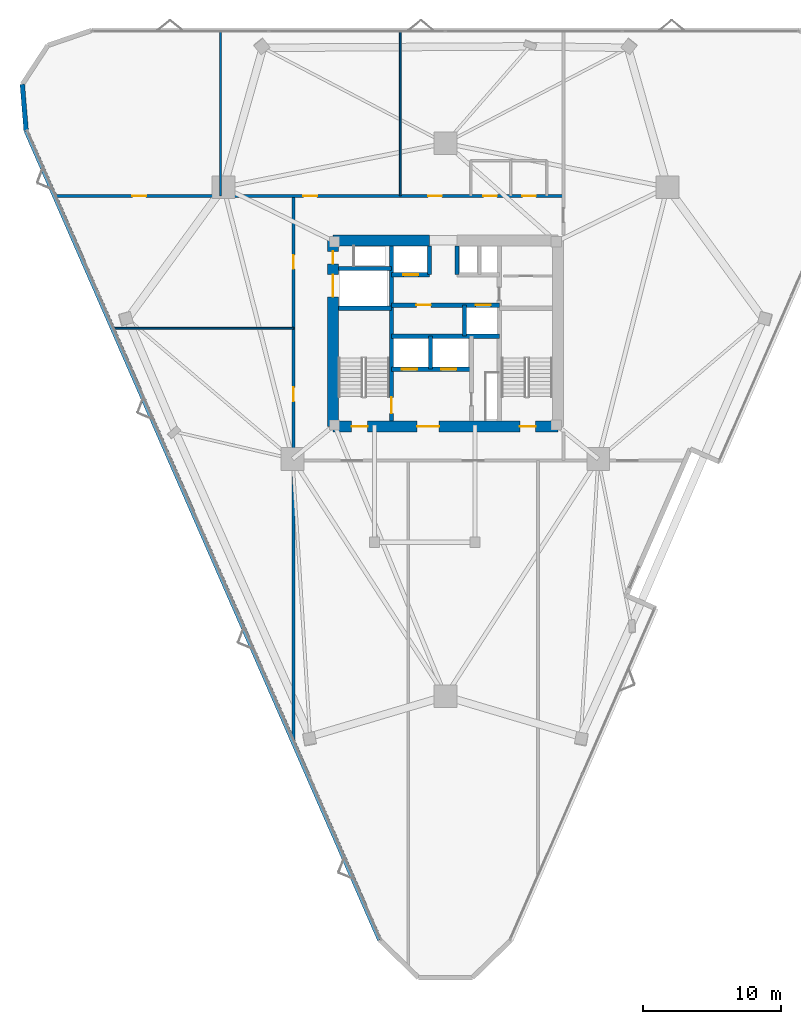
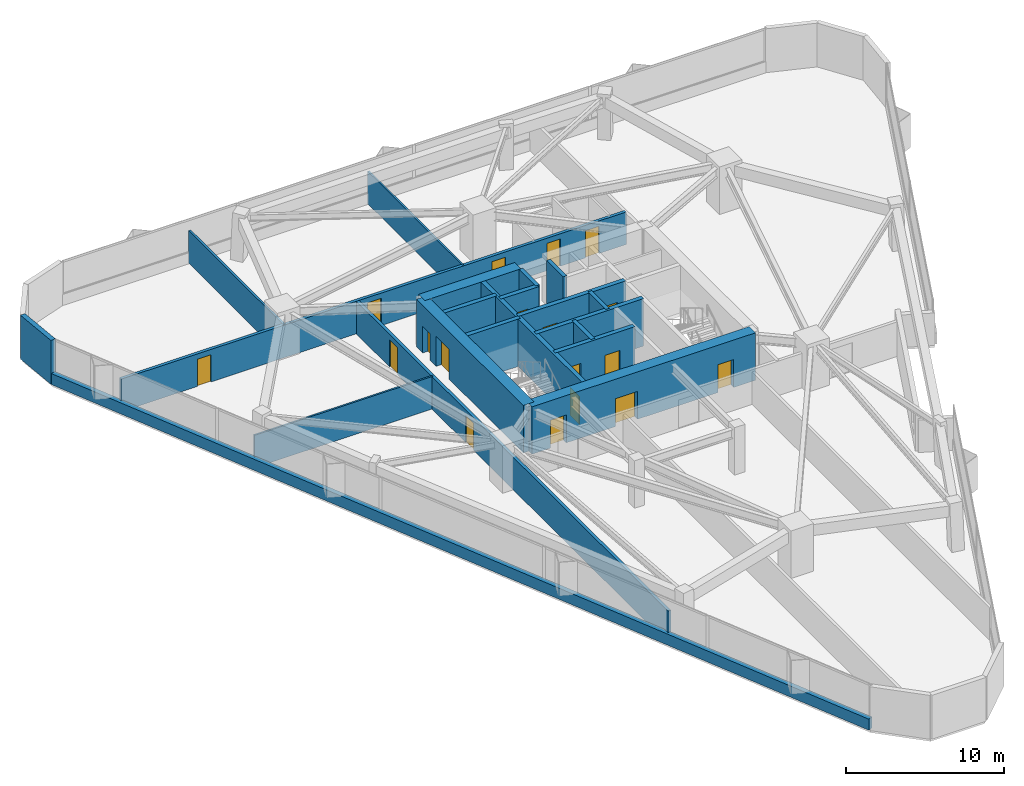
# One storey, part 11 of 13: 21 walls, 18 doors, 18 openings.
"""IFC4 building model written with IfcOpenShell, lengths in metres."""

from ifc_helpers import new_model, si_unit, direction, frame, frame_2d, origin, place, context, subcontext, project, spatial, rectangle, extrude, material, layer, layer_set, type_object, element, fill, save


model = new_model("IFC4")

# Units and contexts
model_context = context("Model", 3, precision=1e-05, world=origin(), true_north=direction((0.0, 1.0)))
body_context = subcontext(model_context, "Body", "Model", "MODEL_VIEW")
ifc_project = project(units=[si_unit("LENGTHUNIT", "METRE"), si_unit("AREAUNIT", "SQUARE_METRE"), si_unit("VOLUMEUNIT", "CUBIC_METRE"), si_unit("PLANEANGLEUNIT", "RADIAN"), si_unit("MASSUNIT", "GRAM", prefix="KILO")], contexts=[model_context])

# Site, building, storey
site_placement = place(None, origin())
site = spatial("IfcSite", under=ifc_project, at=site_placement, CompositionType="ELEMENT")
building_placement = place(site_placement, origin())
building = spatial("IfcBuilding", under=site, at=building_placement, Name="Talyreon Biosciences Tower", CompositionType="ELEMENT")
storey_placement = place(building_placement, frame((0.0, 0.0, 104.199951171875)))
storey = spatial("IfcBuildingStorey", under=building, at=storey_placement, Name="L27", CompositionType="ELEMENT", Elevation=104.199951171875)

# Walls
ifc_material_1 = material(Name="Concrete C50/60", Category="concrete")
ifc_layer_1 = layer(ifc_material_1, 0.280029296875)
ifc_layer_set_1 = layer_set([ifc_layer_1], Name="Concrete C50/60")
wall_type_1 = type_object("IfcWallType", Name="CoreShearWall_280", PredefinedType="SHEAR", material=ifc_layer_set_1)
wall_1_placement = place(storey_placement, frame((64.919921875, 65.39990234375, 0.0), z_axis=(0.0, 0.0, 1.0), x_axis=(0.0, 1.0, 0.0)))
element("IfcWall", 1, at=wall_1_placement, inside=storey, type_object=wall_type_1, Name="L27 Core Shaft Wall SWSHD1", PredefinedType="SHEAR", context=body_context, shape_type="SweptSolid", body=[
    extrude(rectangle(XDim=2.400146484375, YDim=0.280029296875, at=frame_2d((1.2001953125, 0.0))), origin(), (0.0, 0.0, 1.0), 3.650146484375),
])
for number, where, z_axis, x_axis, name in (
    (2, (64.85009765625, 72.25, 0.0), (0.0, 0.0, 1.0), (0.0, 1.0, 0.0), "L27 Core Shaft Wall SWTHW"),
    (3, (66.85009765625, 72.25, 0.0), (0.0, 0.0, 1.0), (0.0, 1.0, 0.0), "L27 Core Shaft Wall SWTHE"),
):
    element("IfcWall", number, at=place(storey_placement, frame(where, z_axis=z_axis, x_axis=x_axis)), inside=storey, type_object=wall_type_1, Name=name, PredefinedType="SHEAR", context=body_context, shape_type="SweptSolid", body=[
        extrude(rectangle(XDim=2.10009765625, YDim=0.280029296875, at=frame_2d((1.050048828125, 0.0))), origin(), (0.0, 0.0, 1.0), 3.650146484375),
    ])
wall_2_placement = place(storey_placement, frame((67.3798828125, 67.800048828125, 0.0), z_axis=(0.0, 0.0, 1.0), x_axis=(0.0, 1.0, 0.0)))
element("IfcWall", 4, at=wall_2_placement, inside=storey, type_object=wall_type_1, Name="L27 Core Shaft Wall SWPMD", PredefinedType="SHEAR", context=body_context, shape_type="SweptSolid", body=[
    extrude(rectangle(XDim=2.25, YDim=0.280029296875, at=frame_2d((1.125, 0.0))), origin(), (0.0, 0.0, 1.0), 3.650146484375),
])

# Wall, opening, door
ifc_layer_2 = layer(ifc_material_1, 0.320068359375)
ifc_layer_set_2 = layer_set([ifc_layer_2], Name="Concrete C50/60")
wall_type_2 = type_object("IfcWallType", Name="CoreShearWall_320", PredefinedType="SHEAR", material=ifc_layer_set_2)
wall_3_placement = place(storey_placement, frame((62.090087890625, 61.64990234375, 0.0), z_axis=(0.0, 0.0, 1.0), x_axis=(0.0, 1.0, 0.0)))
wall_3 = element("IfcWall", 5, at=wall_3_placement, inside=storey, type_object=wall_type_2, Name="L27 Core Shaft Wall SW1E", PredefinedType="SHEAR", context=body_context, shape_type="SweptSolid", body=[
    extrude(rectangle(XDim=12.7001953125, YDim=0.320068359375, at=frame_2d((6.35009765625, 0.0))), origin(), (0.0, 0.0, 1.0), 3.650146484375),
])
opening_1_placement = place(wall_3_placement, frame((0.550048828125, 0.0, 0.0)))
opening_1 = element("IfcOpeningElement", 6, at=opening_1_placement, cuts=wall_3, Name="Opening DR-L27-FF-ST1", PredefinedType="OPENING", context=body_context, shape_type="SweptSolid", body=[
    extrude(rectangle(XDim=1.14990234375, YDim=2.14990234375, at=frame_2d((0.574951171875, 1.074951171875))), frame((0.0, 0.169921875, 0.0), z_axis=(0.0, -1.0, 0.0), x_axis=(1.0, 0.0, 0.0)), (0.0, 0.0, 1.0), 0.340087890625),
])
ifc_material_2 = material(Name="Painted steel fire door", Category="steel")
door_type_1 = type_object("IfcDoorType", Name="StairShaftFireDoor_1150x2150", OperationType="NOTDEFINED", PredefinedType="DOOR", material=ifc_material_2)
door_1_placement = place(opening_1_placement, origin())
door_1 = element("IfcDoor", 7, at=door_1_placement, inside=storey, type_object=door_type_1, Name="L27 Core Door DR-L27-FF-ST1", OperationType="SINGLE_SWING_LEFT", OverallHeight=2.14990234375, OverallWidth=1.14990234375, PredefinedType="DOOR", context=body_context, shape_type="SweptSolid", body=[
    extrude(rectangle(XDim=1.14990234375, YDim=2.14990234375, at=frame_2d((0.574951171875, 1.074951171875))), frame((0.0, 0.02490234375, 0.0), z_axis=(0.0, -1.0, 0.0), x_axis=(1.0, 0.0, 0.0)), (0.0, 0.0, 1.0), 0.050048828125),
])
fill(opening_1, door_1)

# Walls
for number, where, z_axis, x_axis, name in (
    (8, (58.25, 69.81005859375, 0.0), (0.0, 0.0, 1.0), (1.0, 0.0, 0.0), "L27 Core Shaft Wall SW1N"),
    (9, (58.25, 72.699951171875, 0.0), (0.0, 0.0, 1.0), (1.0, 0.0, 0.0), "L27 Core Shaft Wall SWGLN"),
):
    element("IfcWall", number, at=place(storey_placement, frame(where, z_axis=z_axis, x_axis=x_axis)), inside=storey, type_object=wall_type_2, Name=name, PredefinedType="SHEAR", context=body_context, shape_type="SweptSolid", body=[
        extrude(rectangle(XDim=3.840087890625, YDim=0.320068359375, at=frame_2d((1.919921875, 0.0))), origin(), (0.0, 0.0, 1.0), 3.650146484375),
    ])
wall_4_placement = place(storey_placement, frame((62.090087890625, 67.800048828125, 0.0), z_axis=(0.0, 0.0, 1.0), x_axis=(1.0, 0.0, 0.0)))
element("IfcWall", 10, at=wall_4_placement, inside=storey, type_object=wall_type_2, Name="L27 Core Shaft Wall SWSHM", PredefinedType="SHEAR", context=body_context, shape_type="SweptSolid", body=[
    extrude(rectangle(XDim=7.81982421875, YDim=0.320068359375, at=frame_2d((3.909912109375, 0.0))), origin(), (0.0, 0.0, 1.0), 3.650146484375),
])

# Wall, openings, doors
wall_5_placement = place(storey_placement, frame((62.090087890625, 70.050048828125, 0.0), z_axis=(0.0, 0.0, 1.0), x_axis=(1.0, 0.0, 0.0)))
wall_5 = element("IfcWall", 11, at=wall_5_placement, inside=storey, type_object=wall_type_2, Name="L27 Core Shaft Wall SWSPN", PredefinedType="SHEAR", context=body_context, shape_type="SweptSolid", body=[
    extrude(rectangle(XDim=7.81982421875, YDim=0.320068359375, at=frame_2d((3.909912109375, 0.0))), origin(), (0.0, 0.0, 1.0), 3.650146484375),
])
opening_2_placement = place(wall_5_placement, frame((1.800048828125, 0.0, 0.0)))
opening_2 = element("IfcOpeningElement", 12, at=opening_2_placement, cuts=wall_5, Name="Opening DR-L27-PLFREE-A", PredefinedType="OPENING", context=body_context, shape_type="SweptSolid", body=[
    extrude(rectangle(XDim=1.050048828125, YDim=2.14990234375, at=frame_2d((0.52490234375, 1.074951171875))), frame((0.0, 0.169921875, 0.0), z_axis=(0.0, -1.0, 0.0), x_axis=(1.0, 0.0, 0.0)), (0.0, 0.0, 1.0), 0.340087890625),
])
opening_3_placement = place(wall_5_placement, frame((6.10009765625, 0.0, 0.0)))
opening_3 = element("IfcOpeningElement", 13, at=opening_3_placement, cuts=wall_5, Name="Opening LD-L27-PM1", PredefinedType="OPENING", context=body_context, shape_type="SweptSolid", body=[
    extrude(rectangle(XDim=1.10009765625, YDim=2.199951171875, at=frame_2d((0.550048828125, 1.10009765625))), frame((0.0, 0.169921875, 0.0), z_axis=(0.0, -1.0, 0.0), x_axis=(1.0, 0.0, 0.0)), (0.0, 0.0, 1.0), 0.340087890625),
])
ifc_material_3 = material(Name="Acoustic timber-core laboratory door", Category="wood")
door_type_2 = type_object("IfcDoorType", Name="DryLabSingleDoor_1050x2150", OperationType="NOTDEFINED", PredefinedType="DOOR", material=ifc_material_3)
door_2_placement = place(opening_2_placement, origin())
door_2 = element("IfcDoor", 14, at=door_2_placement, inside=storey, type_object=door_type_2, Name="L27 Core Door DR-L27-PLFREE-A", OperationType="SINGLE_SWING_LEFT", OverallHeight=2.14990234375, OverallWidth=1.050048828125, PredefinedType="DOOR", context=body_context, shape_type="SweptSolid", body=[
    extrude(rectangle(XDim=1.050048828125, YDim=2.14990234375, at=frame_2d((0.52490234375, 1.074951171875))), frame((0.0, 0.02490234375, 0.0), z_axis=(0.0, -1.0, 0.0), x_axis=(1.0, 0.0, 0.0)), (0.0, 0.0, 1.0), 0.050048828125),
])
fill(opening_2, door_2)
ifc_material_4 = material(Name="Brushed stainless-steel lift landing door", Category="steel")
door_type_3 = type_object("IfcDoorType", Name="LiftSlidingLandingDoor_1100x2200", OperationType="SLIDING_TO_LEFT", PredefinedType="DOOR", material=ifc_material_4)
door_3_placement = place(opening_3_placement, origin())
door_3 = element("IfcDoor", 15, at=door_3_placement, inside=storey, type_object=door_type_3, Name="L27 Core Door LD-L27-PM1", OperationType="SLIDING_TO_LEFT", OverallHeight=2.199951171875, OverallWidth=1.10009765625, PredefinedType="DOOR", context=body_context, shape_type="SweptSolid", body=[
    extrude(rectangle(XDim=1.10009765625, YDim=2.199951171875, at=frame_2d((0.550048828125, 1.10009765625))), frame((0.0, 0.02490234375, 0.0), z_axis=(0.0, -1.0, 0.0), x_axis=(1.0, 0.0, 0.0)), (0.0, 0.0, 1.0), 0.050048828125),
])
fill(opening_3, door_3)

# Wall, opening, door
wall_6_placement = place(storey_placement, frame((62.090087890625, 72.25, 0.0), z_axis=(0.0, 0.0, 1.0), x_axis=(1.0, 0.0, 0.0)))
wall_6 = element("IfcWall", 16, at=wall_6_placement, inside=storey, type_object=wall_type_2, Name="L27 Core Shaft Wall SWNPW", PredefinedType="SHEAR", context=body_context, shape_type="SweptSolid", body=[
    extrude(rectangle(XDim=2.760009765625, YDim=0.320068359375, at=frame_2d((1.3798828125, 0.0))), origin(), (0.0, 0.0, 1.0), 3.650146484375),
])
opening_4_placement = place(wall_6_placement, frame((0.85009765625, 0.0, 0.0)))
opening_4 = element("IfcOpeningElement", 17, at=opening_4_placement, cuts=wall_6, Name="Opening LD-L27-PM2", PredefinedType="OPENING", context=body_context, shape_type="SweptSolid", body=[
    extrude(rectangle(XDim=1.10009765625, YDim=2.199951171875, at=frame_2d((0.550048828125, 1.10009765625))), frame((0.0, 0.169921875, 0.0), z_axis=(0.0, -1.0, 0.0), x_axis=(1.0, 0.0, 0.0)), (0.0, 0.0, 1.0), 0.340087890625),
])
door_4_placement = place(opening_4_placement, origin())
door_4 = element("IfcDoor", 18, at=door_4_placement, inside=storey, type_object=door_type_3, Name="L27 Core Door LD-L27-PM2", OperationType="SLIDING_TO_LEFT", OverallHeight=2.199951171875, OverallWidth=1.10009765625, PredefinedType="DOOR", context=body_context, shape_type="SweptSolid", body=[
    extrude(rectangle(XDim=1.10009765625, YDim=2.199951171875, at=frame_2d((0.550048828125, 1.10009765625))), frame((0.0, 0.02490234375, 0.0), z_axis=(0.0, -1.0, 0.0), x_axis=(1.0, 0.0, 0.0)), (0.0, 0.0, 1.0), 0.050048828125),
])
fill(opening_4, door_4)

# Wall, openings, doors
wall_7_placement = place(storey_placement, frame((62.090087890625, 65.39990234375, 0.0), z_axis=(0.0, 0.0, 1.0), x_axis=(1.0, 0.0, 0.0)))
wall_7 = element("IfcWall", 19, at=wall_7_placement, inside=storey, type_object=wall_type_2, Name="L27 Core Shaft Wall SWFFN", PredefinedType="SHEAR", context=body_context, shape_type="SweptSolid", body=[
    extrude(rectangle(XDim=5.789794921875, YDim=0.320068359375, at=frame_2d((2.89501953125, 0.0))), origin(), (0.0, 0.0, 1.0), 3.650146484375),
])
opening_5_placement = place(wall_7_placement, frame((0.75, 0.0, 0.0)))
opening_5 = element("IfcOpeningElement", 20, at=opening_5_placement, cuts=wall_7, Name="Opening LD-L27-FL1", PredefinedType="OPENING", context=body_context, shape_type="SweptSolid", body=[
    extrude(rectangle(XDim=1.10009765625, YDim=2.199951171875, at=frame_2d((0.550048828125, 1.10009765625))), frame((0.0, 0.169921875, 0.0), z_axis=(0.0, -1.0, 0.0), x_axis=(1.0, 0.0, 0.0)), (0.0, 0.0, 1.0), 0.340087890625),
])
opening_6_placement = place(wall_7_placement, frame((3.60009765625, 0.0, 0.0)))
opening_6 = element("IfcOpeningElement", 21, at=opening_6_placement, cuts=wall_7, Name="Opening LD-L27-FL2", PredefinedType="OPENING", context=body_context, shape_type="SweptSolid", body=[
    extrude(rectangle(XDim=1.10009765625, YDim=2.199951171875, at=frame_2d((0.550048828125, 1.10009765625))), frame((0.0, 0.169921875, 0.0), z_axis=(0.0, -1.0, 0.0), x_axis=(1.0, 0.0, 0.0)), (0.0, 0.0, 1.0), 0.340087890625),
])
door_5_placement = place(opening_5_placement, origin())
door_5 = element("IfcDoor", 22, at=door_5_placement, inside=storey, type_object=door_type_3, Name="L27 Core Door LD-L27-FL1", OperationType="SLIDING_TO_LEFT", OverallHeight=2.199951171875, OverallWidth=1.10009765625, PredefinedType="DOOR", context=body_context, shape_type="SweptSolid", body=[
    extrude(rectangle(XDim=1.10009765625, YDim=2.199951171875, at=frame_2d((0.550048828125, 1.10009765625))), frame((0.0, 0.02490234375, 0.0), z_axis=(0.0, -1.0, 0.0), x_axis=(1.0, 0.0, 0.0)), (0.0, 0.0, 1.0), 0.050048828125),
])
fill(opening_5, door_5)
door_6_placement = place(opening_6_placement, origin())
door_6 = element("IfcDoor", 23, at=door_6_placement, inside=storey, type_object=door_type_3, Name="L27 Core Door LD-L27-FL2", OperationType="SLIDING_TO_LEFT", OverallHeight=2.199951171875, OverallWidth=1.10009765625, PredefinedType="DOOR", context=body_context, shape_type="SweptSolid", body=[
    extrude(rectangle(XDim=1.10009765625, YDim=2.199951171875, at=frame_2d((0.550048828125, 1.10009765625))), frame((0.0, 0.02490234375, 0.0), z_axis=(0.0, -1.0, 0.0), x_axis=(1.0, 0.0, 0.0)), (0.0, 0.0, 1.0), 0.050048828125),
])
fill(opening_6, door_6)

ifc_material_5 = material(Name="Concrete C60/75", Category="concrete")
ifc_layer_3 = layer(ifc_material_5, 0.800048828125)
ifc_layer_set_3 = layer_set([ifc_layer_3], Name="Concrete C60/75")
wall_type_3 = type_object("IfcWallType", Name="CoreShearWall_800", PredefinedType="SHEAR", material=ifc_layer_set_3)
wall_8_placement = place(storey_placement, frame((57.85009765625, 61.25, 0.0), z_axis=(0.0, 0.0, 1.0), x_axis=(1.0, 0.0, 0.0)))
wall_8 = element("IfcWall", 24, at=wall_8_placement, inside=storey, type_object=wall_type_3, Name="L27 Core Shear Wall S", PredefinedType="SHEAR", context=body_context, shape_type="SweptSolid", body=[
    extrude(rectangle(XDim=16.2998046875, YDim=0.800048828125, at=frame_2d((8.14990234375, 0.0))), origin(), (0.0, 0.0, 1.0), 3.650146484375),
])
opening_7_placement = place(wall_8_placement, frame((1.35009765625, 0.0, 0.0)))
opening_7 = element("IfcOpeningElement", 25, at=opening_7_placement, cuts=wall_8, Name="Opening DR-L27-ST1", PredefinedType="OPENING", context=body_context, shape_type="SweptSolid", body=[
    extrude(rectangle(XDim=1.14990234375, YDim=2.14990234375, at=frame_2d((0.574951171875, 1.074951171875))), frame((0.0, 0.409912109375, 0.0), z_axis=(0.0, -1.0, 0.0), x_axis=(1.0, 0.0, 0.0)), (0.0, 0.0, 1.0), 0.820068359375),
])
opening_8_placement = place(wall_8_placement, frame((6.10009765625, 0.0, 0.0)))
opening_8 = element("IfcOpeningElement", 26, at=opening_8_placement, cuts=wall_8, Name="Opening DR-L27-FFL", PredefinedType="OPENING", context=body_context, shape_type="SweptSolid", body=[
    extrude(rectangle(XDim=1.60009765625, YDim=2.14990234375, at=frame_2d((0.800048828125, 1.074951171875))), frame((0.0, 0.409912109375, 0.0), z_axis=(0.0, -1.0, 0.0), x_axis=(1.0, 0.0, 0.0)), (0.0, 0.0, 1.0), 0.820068359375),
])
opening_9_placement = place(wall_8_placement, frame((13.550048828125, 0.0, 0.0)))
opening_9 = element("IfcOpeningElement", 27, at=opening_9_placement, cuts=wall_8, Name="Opening DR-L27-ST2", PredefinedType="OPENING", context=body_context, shape_type="SweptSolid", body=[
    extrude(rectangle(XDim=1.14990234375, YDim=2.14990234375, at=frame_2d((0.574951171875, 1.074951171875))), frame((0.0, 0.409912109375, 0.0), z_axis=(0.0, -1.0, 0.0), x_axis=(1.0, 0.0, 0.0)), (0.0, 0.0, 1.0), 0.820068359375),
])
ifc_material_6 = material(Name="Painted steel smoke-seal fire door", Category="steel")
door_type_4 = type_object("IfcDoorType", Name="FirefightingLobbyDoubleDoor_1600x2150", OperationType="DOUBLE_DOOR_SINGLE_SWING", PredefinedType="DOOR", material=ifc_material_6)
door_7_placement = place(opening_8_placement, origin())
door_7 = element("IfcDoor", 28, at=door_7_placement, inside=storey, type_object=door_type_4, Name="L27 Core Door DR-L27-FFL", OperationType="DOUBLE_DOOR_SINGLE_SWING", OverallHeight=2.14990234375, OverallWidth=1.60009765625, PredefinedType="DOOR", context=body_context, shape_type="SweptSolid", body=[
    extrude(rectangle(XDim=1.60009765625, YDim=2.14990234375, at=frame_2d((0.800048828125, 1.074951171875))), frame((0.0, 0.02490234375, 0.0), z_axis=(0.0, -1.0, 0.0), x_axis=(1.0, 0.0, 0.0)), (0.0, 0.0, 1.0), 0.050048828125),
])
fill(opening_8, door_7)
door_8_placement = place(opening_7_placement, origin())
door_8 = element("IfcDoor", 29, at=door_8_placement, inside=storey, type_object=door_type_1, Name="L27 Core Door DR-L27-ST1", OperationType="SINGLE_SWING_LEFT", OverallHeight=2.14990234375, OverallWidth=1.14990234375, PredefinedType="DOOR", context=body_context, shape_type="SweptSolid", body=[
    extrude(rectangle(XDim=1.14990234375, YDim=2.14990234375, at=frame_2d((0.574951171875, 1.074951171875))), frame((0.0, 0.02490234375, 0.0), z_axis=(0.0, -1.0, 0.0), x_axis=(1.0, 0.0, 0.0)), (0.0, 0.0, 1.0), 0.050048828125),
])
fill(opening_7, door_8)
door_9_placement = place(opening_9_placement, origin())
door_9 = element("IfcDoor", 30, at=door_9_placement, inside=storey, type_object=door_type_1, Name="L27 Core Door DR-L27-ST2", OperationType="SINGLE_SWING_RIGHT", OverallHeight=2.14990234375, OverallWidth=1.14990234375, PredefinedType="DOOR", context=body_context, shape_type="SweptSolid", body=[
    extrude(rectangle(XDim=1.14990234375, YDim=2.14990234375, at=frame_2d((0.574951171875, 1.074951171875))), frame((0.0, 0.02490234375, 0.0), z_axis=(0.0, -1.0, 0.0), x_axis=(1.0, 0.0, 0.0)), (0.0, 0.0, 1.0), 0.050048828125),
])
fill(opening_9, door_9)

# Wall
wall_9_placement = place(storey_placement, frame((64.85009765625, 74.75, 0.0), z_axis=(0.0, 0.0, 1.0), x_axis=(-1.0, 0.0, 0.0)))
element("IfcWall", 31, at=wall_9_placement, inside=storey, type_object=wall_type_3, Name="L27 Core Shear Wall NW", PredefinedType="SHEAR", context=body_context, shape_type="SweptSolid", body=[
    extrude(rectangle(XDim=7.0, YDim=0.800048828125, at=frame_2d((3.5, 0.0))), origin(), (0.0, 0.0, 1.0), 3.650146484375),
])

# Wall, openings, doors
wall_10_placement = place(storey_placement, frame((57.85009765625, 74.75, 0.0), z_axis=(0.0, 0.0, 1.0), x_axis=(0.0, -1.0, 0.0)))
wall_10 = element("IfcWall", 32, at=wall_10_placement, inside=storey, type_object=wall_type_3, Name="L27 Core Shear Wall W", PredefinedType="SHEAR", context=body_context, shape_type="SweptSolid", body=[
    extrude(rectangle(XDim=13.5, YDim=0.800048828125, at=frame_2d((6.75, 0.0))), origin(), (0.0, 0.0, 1.0), 3.650146484375),
])
opening_10_placement = place(wall_10_placement, frame((0.800048828125, 0.0, 0.0)))
opening_10 = element("IfcOpeningElement", 33, at=opening_10_placement, cuts=wall_10, Name="Opening DR-L27-RSW", PredefinedType="OPENING", context=body_context, shape_type="SweptSolid", body=[
    extrude(rectangle(XDim=0.919921875, YDim=2.050048828125, at=frame_2d((0.4599609375, 1.02490234375))), frame((0.0, 0.409912109375, 0.0), z_axis=(0.0, -1.0, 0.0), x_axis=(1.0, 0.0, 0.0)), (0.0, 0.0, 1.0), 0.820068359375),
])
opening_11_placement = place(wall_10_placement, frame((2.5, 0.0, 0.0)))
opening_11 = element("IfcOpeningElement", 34, at=opening_11_placement, cuts=wall_10, Name="Opening LD-L27-GL1", PredefinedType="OPENING", context=body_context, shape_type="SweptSolid", body=[
    extrude(rectangle(XDim=1.60009765625, YDim=2.300048828125, at=frame_2d((0.800048828125, 1.14990234375))), frame((0.0, 0.409912109375, 0.0), z_axis=(0.0, -1.0, 0.0), x_axis=(1.0, 0.0, 0.0)), (0.0, 0.0, 1.0), 0.820068359375),
])
ifc_material_7 = material(Name="Heavy-duty stainless-steel goods lift door", Category="steel")
door_type_5 = type_object("IfcDoorType", Name="GoodsLiftSlidingDoor_1600x2300", OperationType="DOUBLE_DOOR_SLIDING", PredefinedType="DOOR", material=ifc_material_7)
door_10_placement = place(opening_11_placement, origin())
door_10 = element("IfcDoor", 35, at=door_10_placement, inside=storey, type_object=door_type_5, Name="L27 Core Door LD-L27-GL1", OperationType="DOUBLE_DOOR_SLIDING", OverallHeight=2.300048828125, OverallWidth=1.60009765625, PredefinedType="DOOR", context=body_context, shape_type="SweptSolid", body=[
    extrude(rectangle(XDim=1.60009765625, YDim=2.300048828125, at=frame_2d((0.800048828125, 1.14990234375))), frame((0.0, 0.02490234375, 0.0), z_axis=(0.0, -1.0, 0.0), x_axis=(1.0, 0.0, 0.0)), (0.0, 0.0, 1.0), 0.050048828125),
])
fill(opening_11, door_10)
ifc_material_8 = material(Name="Painted steel fire-rated riser door", Category="steel")
door_type_6 = type_object("IfcDoorType", Name="RiserPlantAccessDoor_920x2050", OperationType="NOTDEFINED", PredefinedType="DOOR", material=ifc_material_8)
door_11_placement = place(opening_10_placement, origin())
door_11 = element("IfcDoor", 36, at=door_11_placement, inside=storey, type_object=door_type_6, Name="L27 Core Door DR-L27-RSW", OperationType="SINGLE_SWING_LEFT", OverallHeight=2.050048828125, OverallWidth=0.919921875, PredefinedType="DOOR", context=body_context, shape_type="SweptSolid", body=[
    extrude(rectangle(XDim=0.919921875, YDim=2.050048828125, at=frame_2d((0.4599609375, 1.02490234375))), frame((0.0, 0.02490234375, 0.0), z_axis=(0.0, -1.0, 0.0), x_axis=(1.0, 0.0, 0.0)), (0.0, 0.0, 1.0), 0.050048828125),
])
fill(opening_10, door_11)

ifc_material_9 = material(Name="Gypsum fireboard acoustic stud", Category="gypsum")
ifc_layer_4 = layer(ifc_material_9, 0.219970703125)
ifc_layer_set_4 = layer_set([ifc_layer_4], Name="Gypsum fireboard acoustic stud")
wall_type_4 = type_object("IfcWallType", Name="CorridorRatedPartition_220", PredefinedType="PARTITIONING", material=ifc_layer_set_4)
wall_11_placement = place(storey_placement, frame((37.74267578125, 77.969970703125, 0.0), z_axis=(0.0, 0.0, 1.0), x_axis=(1.0, 0.0, 0.0)))
wall_11 = element("IfcWall", 37, at=wall_11_placement, inside=storey, type_object=wall_type_4, Name="L27 Interior Wall IW-L27-COR-N", PredefinedType="PARTITIONING", context=body_context, shape_type="SweptSolid", body=[
    extrude(rectangle(XDim=36.807373046875, YDim=0.219970703125, at=frame_2d((18.40380859375, 0.0))), origin(), (0.0, 0.0, 1.0), 2.505126953125),
])
opening_12_placement = place(wall_11_placement, frame((31.01708984375, 0.0, 0.0)))
opening_12 = element("IfcOpeningElement", 38, at=opening_12_placement, cuts=wall_11, Name="Opening DR-L27-WC", PredefinedType="OPENING", context=body_context, shape_type="SweptSolid", body=[
    extrude(rectangle(XDim=0.97998046875, YDim=2.10009765625, at=frame_2d((0.489990234375, 1.050048828125))), frame((0.0, 0.119873046875, 0.0), z_axis=(0.0, -1.0, 0.0), x_axis=(1.0, 0.0, 0.0)), (0.0, 0.0, 1.0), 0.239990234375),
])
opening_13_placement = place(wall_11_placement, frame((33.842041015625, 0.0, 0.0)))
opening_13 = element("IfcOpeningElement", 39, at=opening_13_placement, cuts=wall_11, Name="Opening DR-L27-AWC", PredefinedType="OPENING", context=body_context, shape_type="SweptSolid", body=[
    extrude(rectangle(XDim=0.97998046875, YDim=2.10009765625, at=frame_2d((0.489990234375, 1.050048828125))), frame((0.0, 0.119873046875, 0.0), z_axis=(0.0, -1.0, 0.0), x_axis=(1.0, 0.0, 0.0)), (0.0, 0.0, 1.0), 0.239990234375),
])
opening_14_placement = place(wall_11_placement, frame((5.544921875, 0.0, 0.0)))
opening_14 = element("IfcOpeningElement", 40, at=opening_14_placement, cuts=wall_11, Name="Opening DR-L27-N1A", PredefinedType="OPENING", context=body_context, shape_type="SweptSolid", body=[
    extrude(rectangle(XDim=1.0, YDim=2.10009765625, at=frame_2d((0.5, 1.050048828125))), frame((0.0, 0.119873046875, 0.0), z_axis=(0.0, -1.0, 0.0), x_axis=(1.0, 0.0, 0.0)), (0.0, 0.0, 1.0), 0.239990234375),
])
opening_15_placement = place(wall_11_placement, frame((17.95703125, 0.0, 0.0)))
opening_15 = element("IfcOpeningElement", 41, at=opening_15_placement, cuts=wall_11, Name="Opening DR-L27-N2A", PredefinedType="OPENING", context=body_context, shape_type="SweptSolid", body=[
    extrude(rectangle(XDim=1.0, YDim=2.10009765625, at=frame_2d((0.5, 1.050048828125))), frame((0.0, 0.119873046875, 0.0), z_axis=(0.0, -1.0, 0.0), x_axis=(1.0, 0.0, 0.0)), (0.0, 0.0, 1.0), 0.239990234375),
])
opening_16_placement = place(wall_11_placement, frame((27.0009765625, 0.0, 0.0)))
opening_16 = element("IfcOpeningElement", 42, at=opening_16_placement, cuts=wall_11, Name="Opening DR-L27-N3A", PredefinedType="OPENING", context=body_context, shape_type="SweptSolid", body=[
    extrude(rectangle(XDim=1.0, YDim=2.10009765625, at=frame_2d((0.5, 1.050048828125))), frame((0.0, 0.119873046875, 0.0), z_axis=(0.0, -1.0, 0.0), x_axis=(1.0, 0.0, 0.0)), (0.0, 0.0, 1.0), 0.239990234375),
])
ifc_material_10 = material(Name="Laminate moisture-resistant door", Category="wood")
door_type_7 = type_object("IfcDoorType", Name="AccessibleToiletDoor_980x2100", OperationType="NOTDEFINED", PredefinedType="DOOR", material=ifc_material_10)
door_12_placement = place(opening_12_placement, origin())
door_12 = element("IfcDoor", 43, at=door_12_placement, inside=storey, type_object=door_type_7, Name="L27 Interior Door DR-L27-WC", OperationType="SINGLE_SWING_RIGHT", OverallHeight=2.10009765625, OverallWidth=0.97998046875, PredefinedType="DOOR", context=body_context, shape_type="SweptSolid", body=[
    extrude(rectangle(XDim=0.97998046875, YDim=2.10009765625, at=frame_2d((0.489990234375, 1.050048828125))), frame((0.0, 0.02490234375, 0.0), z_axis=(0.0, -1.0, 0.0), x_axis=(1.0, 0.0, 0.0)), (0.0, 0.0, 1.0), 0.050048828125),
])
fill(opening_12, door_12)
door_13_placement = place(opening_13_placement, origin())
door_13 = element("IfcDoor", 44, at=door_13_placement, inside=storey, type_object=door_type_7, Name="L27 Interior Door DR-L27-AWC", OperationType="SINGLE_SWING_RIGHT", OverallHeight=2.10009765625, OverallWidth=0.97998046875, PredefinedType="DOOR", context=body_context, shape_type="SweptSolid", body=[
    extrude(rectangle(XDim=0.97998046875, YDim=2.10009765625, at=frame_2d((0.489990234375, 1.050048828125))), frame((0.0, 0.02490234375, 0.0), z_axis=(0.0, -1.0, 0.0), x_axis=(1.0, 0.0, 0.0)), (0.0, 0.0, 1.0), 0.050048828125),
])
fill(opening_13, door_13)
ifc_material_11 = material(Name="Acoustic oak veneer office door", Category="wood")
door_type_8 = type_object("IfcDoorType", Name="WriteupOfficeDoor_1000x2100", OperationType="NOTDEFINED", PredefinedType="DOOR", material=ifc_material_11)
door_14_placement = place(opening_14_placement, origin())
door_14 = element("IfcDoor", 45, at=door_14_placement, inside=storey, type_object=door_type_8, Name="L27 Interior Door DR-L27-N1A", OperationType="SINGLE_SWING_RIGHT", OverallHeight=2.10009765625, OverallWidth=1.0, PredefinedType="DOOR", context=body_context, shape_type="SweptSolid", body=[
    extrude(rectangle(XDim=1.0, YDim=2.10009765625, at=frame_2d((0.5, 1.050048828125))), frame((0.0, 0.02490234375, 0.0), z_axis=(0.0, -1.0, 0.0), x_axis=(1.0, 0.0, 0.0)), (0.0, 0.0, 1.0), 0.050048828125),
])
fill(opening_14, door_14)
door_15_placement = place(opening_15_placement, origin())
door_15 = element("IfcDoor", 46, at=door_15_placement, inside=storey, type_object=door_type_8, Name="L27 Interior Door DR-L27-N2A", OperationType="SINGLE_SWING_LEFT", OverallHeight=2.10009765625, OverallWidth=1.0, PredefinedType="DOOR", context=body_context, shape_type="SweptSolid", body=[
    extrude(rectangle(XDim=1.0, YDim=2.10009765625, at=frame_2d((0.5, 1.050048828125))), frame((0.0, 0.02490234375, 0.0), z_axis=(0.0, -1.0, 0.0), x_axis=(1.0, 0.0, 0.0)), (0.0, 0.0, 1.0), 0.050048828125),
])
fill(opening_15, door_15)
door_16_placement = place(opening_16_placement, origin())
door_16 = element("IfcDoor", 47, at=door_16_placement, inside=storey, type_object=door_type_8, Name="L27 Interior Door DR-L27-N3A", OperationType="SINGLE_SWING_RIGHT", OverallHeight=2.10009765625, OverallWidth=1.0, PredefinedType="DOOR", context=body_context, shape_type="SweptSolid", body=[
    extrude(rectangle(XDim=1.0, YDim=2.10009765625, at=frame_2d((0.5, 1.050048828125))), frame((0.0, 0.02490234375, 0.0), z_axis=(0.0, -1.0, 0.0), x_axis=(1.0, 0.0, 0.0)), (0.0, 0.0, 1.0), 0.050048828125),
])
fill(opening_16, door_16)

wall_12_placement = place(storey_placement, frame((54.97998046875, 38.519775390625, 0.0), z_axis=(0.0, 0.0, 1.0), x_axis=(0.0, 1.0, 0.0)))
wall_12 = element("IfcWall", 48, at=wall_12_placement, inside=storey, type_object=wall_type_4, Name="L27 Interior Wall IW-L27-COR-W", PredefinedType="PARTITIONING", context=body_context, shape_type="SweptSolid", body=[
    extrude(rectangle(XDim=39.4501953125, YDim=0.219970703125, at=frame_2d((19.72509765625, 0.0))), origin(), (0.0, 0.0, 1.0), 2.505126953125),
])
opening_17_placement = place(wall_12_placement, frame((24.550048828125, 0.0, 0.0)))
opening_17 = element("IfcOpeningElement", 49, at=opening_17_placement, cuts=wall_12, Name="Opening DR-L27-W1A", PredefinedType="OPENING", context=body_context, shape_type="SweptSolid", body=[
    extrude(rectangle(XDim=1.0, YDim=2.10009765625, at=frame_2d((0.5, 1.050048828125))), frame((0.0, 0.119873046875, 0.0), z_axis=(0.0, -1.0, 0.0), x_axis=(1.0, 0.0, 0.0)), (0.0, 0.0, 1.0), 0.239990234375),
])
opening_18_placement = place(wall_12_placement, frame((34.14990234375, 0.0, 0.0)))
opening_18 = element("IfcOpeningElement", 50, at=opening_18_placement, cuts=wall_12, Name="Opening DR-L27-W2A", PredefinedType="OPENING", context=body_context, shape_type="SweptSolid", body=[
    extrude(rectangle(XDim=1.0, YDim=2.10009765625, at=frame_2d((0.5, 1.050048828125))), frame((0.0, 0.119873046875, 0.0), z_axis=(0.0, -1.0, 0.0), x_axis=(1.0, 0.0, 0.0)), (0.0, 0.0, 1.0), 0.239990234375),
])
door_17_placement = place(opening_17_placement, origin())
door_17 = element("IfcDoor", 51, at=door_17_placement, inside=storey, type_object=door_type_8, Name="L27 Interior Door DR-L27-W1A", OperationType="SINGLE_SWING_LEFT", OverallHeight=2.10009765625, OverallWidth=1.0, PredefinedType="DOOR", context=body_context, shape_type="SweptSolid", body=[
    extrude(rectangle(XDim=1.0, YDim=2.10009765625, at=frame_2d((0.5, 1.050048828125))), frame((0.0, 0.02490234375, 0.0), z_axis=(0.0, -1.0, 0.0), x_axis=(1.0, 0.0, 0.0)), (0.0, 0.0, 1.0), 0.050048828125),
])
fill(opening_17, door_17)
door_18_placement = place(opening_18_placement, origin())
door_18 = element("IfcDoor", 52, at=door_18_placement, inside=storey, type_object=door_type_8, Name="L27 Interior Door DR-L27-W2A", OperationType="SINGLE_SWING_LEFT", OverallHeight=2.10009765625, OverallWidth=1.0, PredefinedType="DOOR", context=body_context, shape_type="SweptSolid", body=[
    extrude(rectangle(XDim=1.0, YDim=2.10009765625, at=frame_2d((0.5, 1.050048828125))), frame((0.0, 0.02490234375, 0.0), z_axis=(0.0, -1.0, 0.0), x_axis=(1.0, 0.0, 0.0)), (0.0, 0.0, 1.0), 0.050048828125),
])
fill(opening_18, door_18)

# Walls
ifc_material_12 = material(Name="Gypsum acoustic stud partition", Category="gypsum")
ifc_layer_5 = layer(ifc_material_12, 0.159912109375)
ifc_layer_set_5 = layer_set([ifc_layer_5], Name="Gypsum acoustic stud partition")
wall_type_5 = type_object("IfcWallType", Name="LabSeparationPartition_160", PredefinedType="PARTITIONING", material=ifc_layer_set_5)
wall_13_placement = place(storey_placement, frame((49.68310546875, 77.969970703125, 0.0), z_axis=(0.0, 0.0, 1.0), x_axis=(0.0, 1.0, 0.0)))
element("IfcWall", 53, at=wall_13_placement, inside=storey, type_object=wall_type_5, Name="L27 Interior Wall IW-L27-NDIV1", PredefinedType="PARTITIONING", context=body_context, shape_type="SweptSolid", body=[
    extrude(rectangle(XDim=11.931640625, YDim=0.159912109375, at=frame_2d((5.9658203125, 0.0))), origin(), (0.0, 0.0, 1.0), 2.505126953125),
])
ifc_layer_6 = layer(ifc_material_12, 0.1298828125)
ifc_layer_set_6 = layer_set([ifc_layer_6], Name="Gypsum acoustic stud partition")
wall_type_6 = type_object("IfcWallType", Name="OfficeWriteupPartition_130", PredefinedType="PARTITIONING", material=ifc_layer_set_6)
wall_14_placement = place(storey_placement, frame((62.717041015625, 77.969970703125, 0.0), z_axis=(0.0, 0.0, 1.0), x_axis=(0.0, 1.0, 0.0)))
element("IfcWall", 54, at=wall_14_placement, inside=storey, type_object=wall_type_6, Name="L27 Interior Wall IW-L27-NDIV2", PredefinedType="PARTITIONING", context=body_context, shape_type="SweptSolid", body=[
    extrude(rectangle(XDim=11.931640625, YDim=0.1298828125, at=frame_2d((5.9658203125, 0.0))), origin(), (0.0, 0.0, 1.0), 2.505126953125),
])
wall_15_placement = place(storey_placement, frame((41.937255859375, 68.3701171875, 0.0), z_axis=(0.0, 0.0, 1.0), x_axis=(1.0, 0.0, 0.0)))
element("IfcWall", 55, at=wall_15_placement, inside=storey, type_object=wall_type_6, Name="L27 Interior Wall IW-L27-WDIV1", PredefinedType="PARTITIONING", context=body_context, shape_type="SweptSolid", body=[
    extrude(rectangle(XDim=13.042724609375, YDim=0.1298828125, at=frame_2d((6.521484375, 0.0))), origin(), (0.0, 0.0, 1.0), 2.505126953125),
])
ifc_material_13 = material(Name="Precast concrete C45/55", Category="concrete")
ifc_layer_7 = layer(ifc_material_13, 0.340087890625)
ifc_layer_set_7 = layer_set([ifc_layer_7], Name="Precast concrete C45/55")
wall_type_7 = type_object("IfcWallType", Name="PrecastConcreteSpandrelWall_340", PredefinedType="STANDARD", material=ifc_layer_set_7)
wall_16_placement = place(storey_placement, frame((35.581298828125, 82.70458984375, 0.0), z_axis=(0.0, 0.0, 1.0), x_axis=(-0.081458806321, 0.996676709306, 0.0)))
element("IfcWall", 56, at=wall_16_placement, inside=storey, type_object=wall_type_7, Name="L27 Rounded-Corner Concrete Pier 00", PredefinedType="STANDARD", context=body_context, shape_type="SweptSolid", body=[
    extrude(rectangle(XDim=3.374755859375, YDim=0.340087890625, at=frame_2d((1.6875, 0.0))), origin(), (0.0, 0.0, 1.0), 3.375),
])
wall_17_placement = place(storey_placement, frame((61.235107421875, 23.991943359375, 0.0), z_axis=(0.0, 0.0, 1.0), x_axis=(-0.400386830101, 0.916346215293, 0.0)))
element("IfcWall", 57, at=wall_17_placement, inside=storey, type_object=wall_type_7, Name="L27 Expressed Concrete Sill Wall 15", PredefinedType="STANDARD", context=body_context, shape_type="SweptSolid", body=[
    extrude(rectangle(XDim=64.072509765625, YDim=0.340087890625, at=frame_2d((32.0361328125, 0.0))), origin(), (0.0, 0.0, 1.0), 0.85009765625),
])

save(model, "model.ifc")
